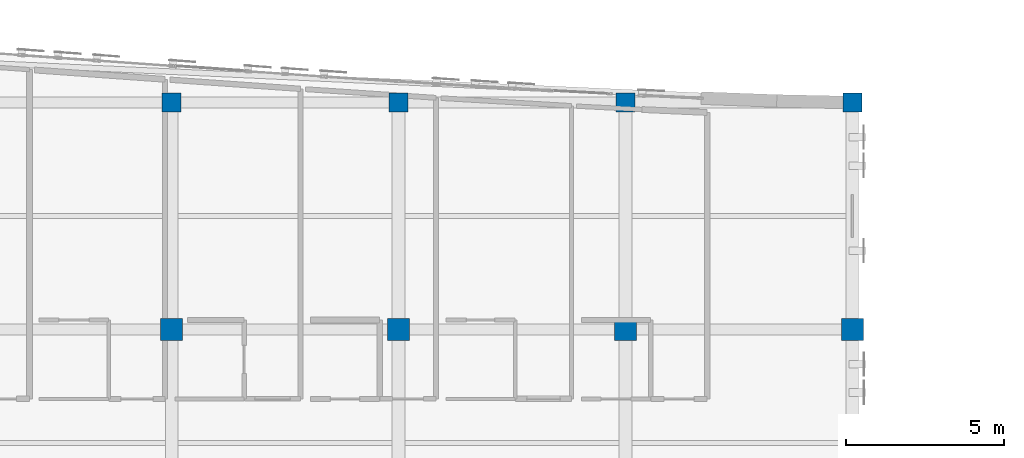
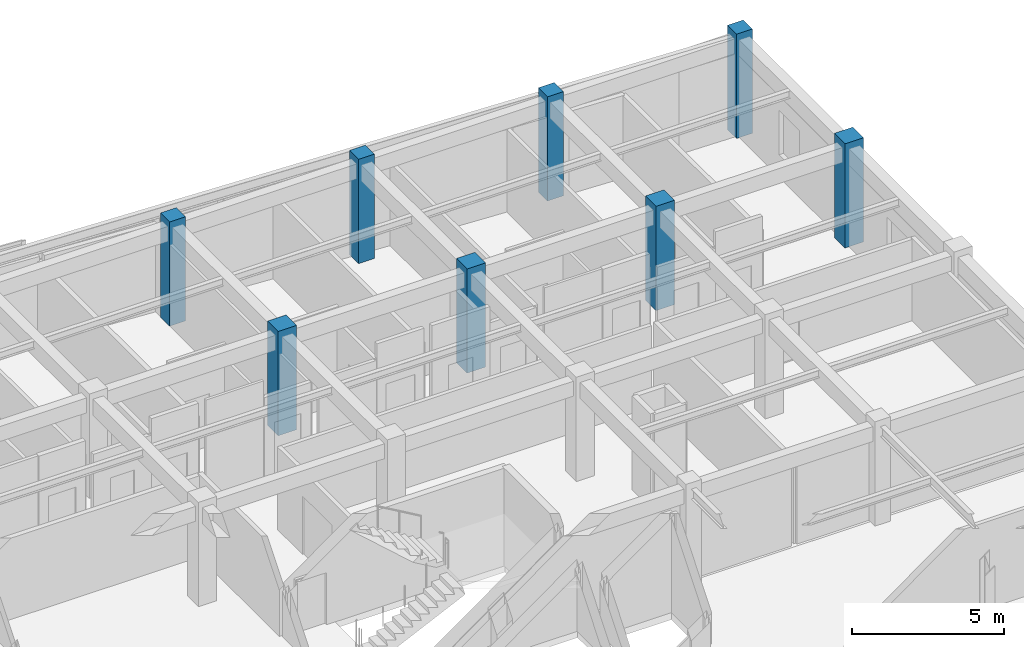
# One storey, part 17 of 113: 8 columns.
"""IFC4 building model written with IfcOpenShell, lengths in metres."""

from ifc_helpers import new_model, si_unit, direction, frame, origin, origin_2d, place, context, subcontext, project, spatial, rectangle, extrude, material, material_profile, profile_set, type_object, element, save


model = new_model("IFC4")

# Units and contexts
model_context = context("Model", 3, precision=1e-05, world=origin(), true_north=direction((0.0, 1.0)))
body_context = subcontext(model_context, "Body", "Model", "MODEL_VIEW")
ifc_project = project(units=[si_unit("LENGTHUNIT", "METRE"), si_unit("AREAUNIT", "SQUARE_METRE"), si_unit("VOLUMEUNIT", "CUBIC_METRE"), si_unit("PLANEANGLEUNIT", "RADIAN"), si_unit("MASSUNIT", "GRAM", prefix="KILO")], contexts=[model_context])

# Site, building, storey
site_placement = place(None, origin())
site = spatial("IfcSite", under=ifc_project, at=site_placement, CompositionType="ELEMENT")
building_placement = place(site_placement, origin())
building = spatial("IfcBuilding", under=site, at=building_placement, Name="Carrowvane Square Congress Hotel", CompositionType="ELEMENT")
storey_placement = place(building_placement, frame((0.0, 0.0, 15.0)))
storey = spatial("IfcBuildingStorey", under=building, at=storey_placement, Name="L03", CompositionType="ELEMENT", Elevation=15.0)

# Columns
ifc_material_1 = material(Name="Concrete C40/50", Category="concrete")
ifc_material_profile_1 = material_profile(ifc_material_1, rectangle(XDim=0.60009765625, YDim=0.60009765625, at=origin_2d()), Name="RC 600x600")
ifc_profile_set_1 = profile_set([ifc_material_profile_1], Name="Concrete C40/50")
column_type_1 = type_object("IfcColumnType", Name="COL-RC-600", PredefinedType="COLUMN", material=ifc_profile_set_1)
for number, where, z_axis, x_axis, name in (
    (1, (141.199951171875, 113.39990234375, 0.0), (0.0, 0.0, 1.0), (1.0, 0.0, 0.0), "L03 column 19/R"),
    (2, (148.39990234375, 113.39990234375, 0.0), (0.0, 0.0, 1.0), (1.0, 0.0, 0.0), "L03 column 20/R"),
    (3, (155.60009765625, 113.39990234375, 0.0), (0.0, 0.0, 1.0), (1.0, 0.0, 0.0), "L03 column 21/R"),
    (4, (162.800048828125, 113.39990234375, 0.0), (0.0, 0.0, 1.0), (1.0, 0.0, 0.0), "L03 column 22/R"),
):
    element("IfcColumn", number, at=place(storey_placement, frame(where, z_axis=z_axis, x_axis=x_axis)), inside=storey, type_object=column_type_1, Name=name, PredefinedType="COLUMN", context=body_context, shape_type="SweptSolid", body=[
        extrude(rectangle(XDim=0.60009765625, YDim=0.60009765625, at=origin_2d()), origin(), (0.0, 0.0, 1.0), 4.199951171875),
    ])
ifc_material_2 = material(Name="Concrete C40/50", Category="concrete")
ifc_material_profile_2 = material_profile(ifc_material_2, rectangle(XDim=0.699951171875, YDim=0.699951171875, at=origin_2d()), Name="RC 700x700")
ifc_profile_set_2 = profile_set([ifc_material_profile_2], Name="Concrete C40/50")
column_type_2 = type_object("IfcColumnType", Name="COL-RC-700", PredefinedType="COLUMN", material=ifc_profile_set_2)
for number, where, z_axis, x_axis, name in (
    (5, (141.199951171875, 106.199951171875, 0.0), (0.0, 0.0, 1.0), (1.0, 0.0, 0.0), "L03 column 19/Q"),
    (6, (148.39990234375, 106.199951171875, 0.0), (0.0, 0.0, 1.0), (1.0, 0.0, 0.0), "L03 column 20/Q"),
    (7, (155.60009765625, 106.199951171875, 0.0), (0.0, 0.0, 1.0), (1.0, 0.0, 0.0), "L03 column 21/Q"),
    (8, (162.800048828125, 106.199951171875, 0.0), (0.0, 0.0, 1.0), (1.0, 0.0, 0.0), "L03 column 22/Q"),
):
    element("IfcColumn", number, at=place(storey_placement, frame(where, z_axis=z_axis, x_axis=x_axis)), inside=storey, type_object=column_type_2, Name=name, PredefinedType="COLUMN", context=body_context, shape_type="SweptSolid", body=[
        extrude(rectangle(XDim=0.699951171875, YDim=0.699951171875, at=origin_2d()), origin(), (0.0, 0.0, 1.0), 4.199951171875),
    ])

save(model, "model.ifc")
